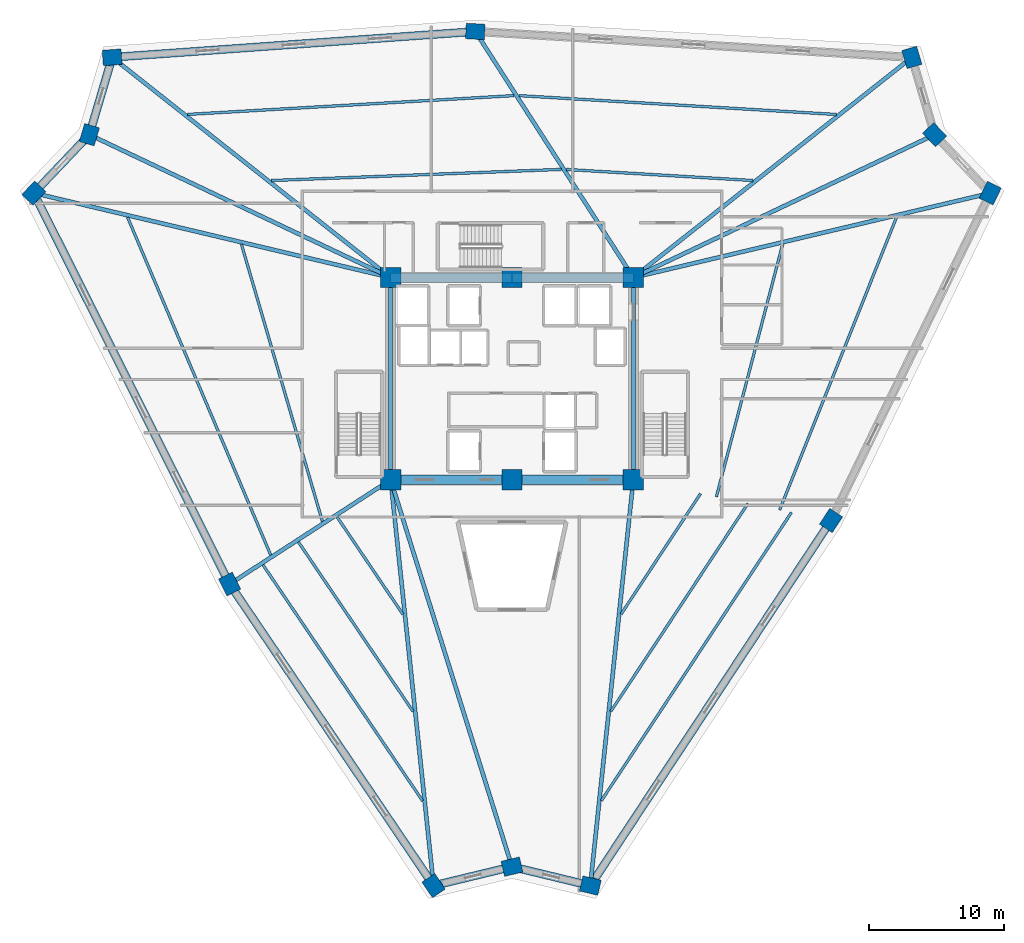
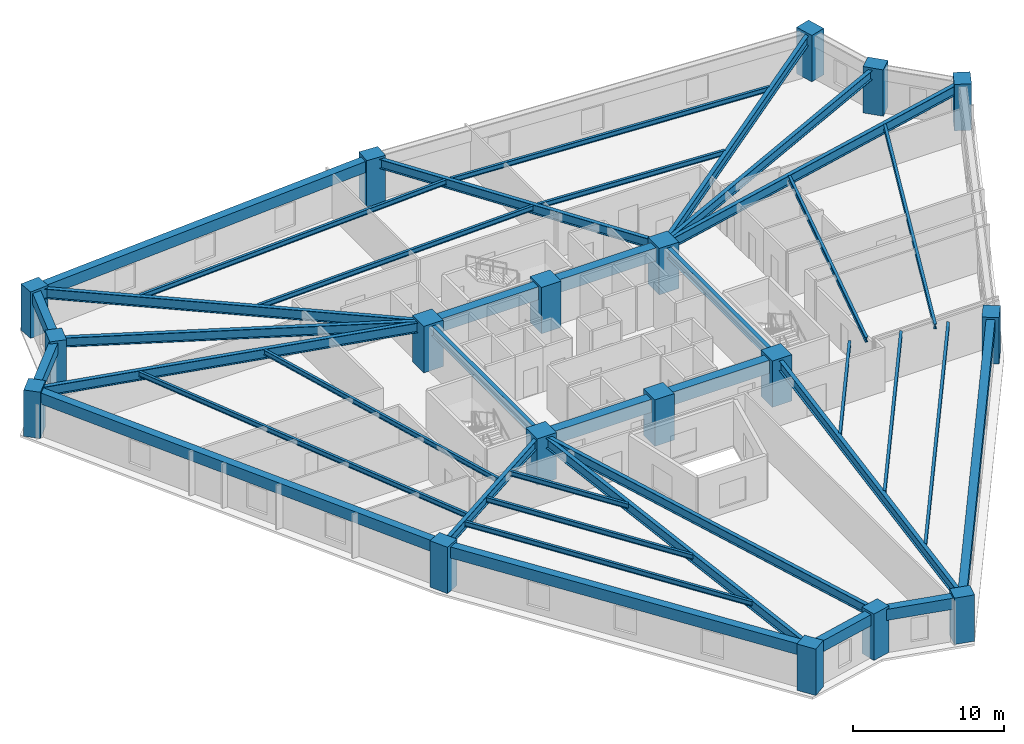
# One storey, part 1 of 8: 39 beams, 18 columns.
"""IFC4 building model written with IfcOpenShell, lengths in metres."""

from ifc_helpers import new_model, si_unit, direction, frame, origin, origin_2d, place, context, subcontext, project, spatial, rectangle, i_section, extrude, source, transform, mapped, material, material_profile, profile_set, type_object, element, save


model = new_model("IFC4")

# Units and contexts
model_context = context("Model", 3, precision=1e-05, world=origin(), true_north=direction((0.0, 1.0)))
body_context = subcontext(model_context, "Body", "Model", "MODEL_VIEW")
ifc_project = project(units=[si_unit("LENGTHUNIT", "METRE"), si_unit("AREAUNIT", "SQUARE_METRE"), si_unit("VOLUMEUNIT", "CUBIC_METRE"), si_unit("PLANEANGLEUNIT", "RADIAN"), si_unit("MASSUNIT", "GRAM", prefix="KILO")], contexts=[model_context])

# Site, building, storey
site_placement = place(None, origin())
site = spatial("IfcSite", under=ifc_project, at=site_placement, CompositionType="ELEMENT")
building_placement = place(site_placement, origin())
building = spatial("IfcBuilding", under=site, at=building_placement, Name="Liaohun Quay Tower", CompositionType="ELEMENT")
storey_placement = place(building_placement, frame((0.0, 0.0, 147.75)))
storey = spatial("IfcBuildingStorey", under=building, at=storey_placement, Name="L38", CompositionType="ELEMENT", Elevation=147.75)

# Columns
ifc_material_1 = material(Name="Concrete C60", Category="concrete")
ifc_material_profile_1 = material_profile(ifc_material_1, rectangle(XDim=1.5, YDim=1.5, at=origin_2d()), Name="RC1500x1500")
ifc_profile_set_1 = profile_set([ifc_material_profile_1], Name="Concrete C60")
column_type_1 = type_object("IfcColumnType", Name="COL-CC-Z2", PredefinedType="COLUMN", material=ifc_profile_set_1)
shared_shape_1 = source(origin(), body_context, "Body", "SweptSolid", [
    extrude(rectangle(XDim=1.5, YDim=1.5, at=origin_2d()), origin(), (0.0, 0.0, 1.0), 3.75),
])
for number, where, z_axis, x_axis, name in (
    (1, (51.0, 46.5, 0.0), (0.0, 0.0, 1.0), (1.0, 0.0, 0.0), "L38 Core Column CC1"),
    (2, (60.0, 46.5, 0.0), (0.0, 0.0, 1.0), (1.0, 0.0, 0.0), "L38 Core Column CC2"),
    (3, (69.0, 46.5, 0.0), (0.0, 0.0, 1.0), (1.0, 0.0, 0.0), "L38 Core Column CC3"),
    (4, (69.0, 61.5, 0.0), (0.0, 0.0, 1.0), (1.0, 0.0, 0.0), "L38 Core Column CC4"),
    (5, (60.0, 61.5, 0.0), (0.0, 0.0, 1.0), (1.0, 0.0, 0.0), "L38 Core Column CC5"),
    (6, (51.0, 61.5, 0.0), (0.0, 0.0, 1.0), (1.0, 0.0, 0.0), "L38 Core Column CC6"),
):
    element("IfcColumn", number, at=place(storey_placement, frame(where, z_axis=z_axis, x_axis=x_axis)), inside=storey, type_object=column_type_1, Name=name, PredefinedType="COLUMN", context=body_context, shape_type="MappedRepresentation", body=[
        mapped(shared_shape_1, transform((0.0, 0.0, 0.0), x_axis=(1.0, 0.0, 0.0), y_axis=(0.0, 1.0, 0.0), z_axis=(0.0, 0.0, 1.0), scale=1.0)),
    ])
ifc_material_profile_2 = material_profile(ifc_material_1, rectangle(XDim=1.39990234375, YDim=1.14990234375, at=origin_2d()), Name="RC1400x1150")
ifc_profile_set_2 = profile_set([ifc_material_profile_2], Name="Concrete C60")
column_type_2 = type_object("IfcColumnType", Name="COL-PIER-Z2", PredefinedType="COLUMN", material=ifc_profile_set_2)
shared_shape_2 = source(origin(), body_context, "Body", "SweptSolid", [
    extrude(rectangle(XDim=1.39990234375, YDim=1.14990234375, at=origin_2d()), origin(), (0.0, 0.0, 1.0), 3.75),
])
for number, where, z_axis, x_axis, name in (
    (7, (54.18505859375, 16.39794921875, 0.0), (0.0, 0.0, 1.0), (-0.560205346355, 0.828353770991, 0.0), "L38 Perimeter Pier PC01"),
    (8, (39.056884765625, 38.764892578125, 0.0), (0.0, 0.0, 1.0), (-0.447759087839, 0.894154236839, 0.0), "L38 Perimeter Pier PC02"),
    (9, (24.532958984375, 67.77001953125, 0.0), (0.0, 0.0, 1.0), (0.689240273721, 0.724532846102, 0.0), "L38 Perimeter Pier PC03"),
    (10, (28.652099609375, 72.09912109375, 0.0), (0.0, 0.0, 1.0), (0.282676303383, 0.959215360337, 0.0), "L38 Perimeter Pier PC04"),
    (11, (30.343994140625, 77.8369140625, 0.0), (0.0, 0.0, 1.0), (0.997478082177, 0.070975175783, 0.0), "L38 Perimeter Pier PC05"),
    (12, (57.278076171875, 79.75390625, 0.0), (0.0, 0.0, 1.0), (-0.998239827924, 0.059306373576, 0.0), "L38 Perimeter Pier PC06"),
    (13, (89.657958984375, 77.830078125, 0.0), (0.0, 0.0, 1.0), (-0.282676303383, 0.959215360337, 0.0), "L38 Perimeter Pier PC07"),
    (14, (91.347900390625, 72.09912109375, 0.0), (0.0, 0.0, 1.0), (-0.689240273721, 0.724532846102, 0.0), "L38 Perimeter Pier PC08"),
    (15, (95.471923828125, 67.763916015625, 0.0), (0.0, 0.0, 1.0), (0.437272735822, 0.899328946775, 0.0), "L38 Perimeter Pier PC09"),
    (16, (83.666015625, 43.48095703125, 0.0), (0.0, 0.0, 1.0), (0.550480740085, 0.834847863263, 0.0), "L38 Perimeter Pier PC10"),
    (17, (65.80810546875, 16.39892578125, 0.0), (0.0, 0.0, 1.0), (-0.972043021443, 0.234802820391, 0.0), "L38 Perimeter Pier PC11"),
    (18, (60.0, 17.802001953125, 0.0), (0.0, 0.0, 1.0), (0.972043021443, 0.234802820391, 0.0), "L38 Perimeter Pier PC12"),
):
    element("IfcColumn", number, at=place(storey_placement, frame(where, z_axis=z_axis, x_axis=x_axis)), inside=storey, type_object=column_type_2, Name=name, PredefinedType="COLUMN", context=body_context, shape_type="MappedRepresentation", body=[
        mapped(shared_shape_2, transform((0.0, 0.0, 0.0), x_axis=(1.0, 0.0, 0.0), y_axis=(0.0, 1.0, 0.0), z_axis=(0.0, 0.0, 1.0), scale=1.0)),
    ])

# Beams
ifc_material_profile_3 = material_profile(ifc_material_1, rectangle(XDim=0.699951171875, YDim=1.050048828125, at=origin_2d()), Name="RC700x1050")
ifc_profile_set_3 = profile_set([ifc_material_profile_3], Name="Concrete C60")
beam_type_1 = type_object("IfcBeamType", Name="BM-CPL-1", PredefinedType="LINTEL", material=ifc_profile_set_3)
shared_shape_3 = source(origin(), body_context, "Body", "SweptSolid", [
    extrude(rectangle(XDim=0.699951171875, YDim=1.050048828125, at=origin_2d()), origin(), (0.0, 0.0, 1.0), 9.0),
])
for number, where, z_axis, x_axis, name in (
    (19, (51.0, 46.5, 3.044921875), (1.0, 0.0, 0.0), (0.0, 1.0, 0.0), "L38 Core Coupling/Ring Beam CC1-CC2"),
    (20, (60.0, 46.5, 3.044921875), (1.0, 0.0, 0.0), (0.0, 1.0, 0.0), "L38 Core Coupling/Ring Beam CC2-CC3"),
    (21, (69.0, 61.5, 3.044921875), (-1.0, 0.0, 0.0), (0.0, -1.0, 0.0), "L38 Core Coupling/Ring Beam CC4-CC5"),
    (22, (60.0, 61.5, 3.044921875), (-1.0, 0.0, 0.0), (0.0, -1.0, 0.0), "L38 Core Coupling/Ring Beam CC5-CC6"),
):
    element("IfcBeam", number, at=place(storey_placement, frame(where, z_axis=z_axis, x_axis=x_axis)), inside=storey, type_object=beam_type_1, Name=name, PredefinedType="LINTEL", context=body_context, shape_type="MappedRepresentation", body=[
        mapped(shared_shape_3, transform((0.0, 0.0, 0.0), x_axis=(1.0, 0.0, 0.0), y_axis=(0.0, 1.0, 0.0), z_axis=(0.0, 0.0, 1.0), scale=1.0)),
    ])
ifc_material_2 = material(Name="Steel Q355D", Category="steel")
ifc_material_profile_4 = material_profile(ifc_material_2, i_section(OverallWidth=0.300048828125, OverallDepth=0.800048828125, WebThickness=0.013916015625, FlangeThickness=0.02587890625, at=origin_2d()), Name="HN800x300x14x26")
ifc_profile_set_4 = profile_set([ifc_material_profile_4], Name="Steel Q355D")
beam_type_2 = type_object("IfcBeamType", Name="BM-RAD-M1", PredefinedType="BEAM", material=ifc_profile_set_4)
shared_shape_4 = source(origin(), body_context, "Body", "SweptSolid", [
    extrude(i_section(OverallWidth=0.300048828125, OverallDepth=0.800048828125, WebThickness=0.013916015625, FlangeThickness=0.02587890625, at=origin_2d()), origin(), (0.0, 0.0, 1.0), 15.0),
])
for number, where, z_axis, x_axis, name in (
    (23, (69.0, 46.5, 3.169921875), (0.0, 1.0, 0.0), (-1.0, 0.0, 0.0), "L38 Core Coupling/Ring Beam CC3-CC4"),
    (24, (51.0, 61.5, 3.169921875), (0.0, -1.0, 0.0), (1.0, 0.0, 0.0), "L38 Core Coupling/Ring Beam CC6-CC1"),
):
    element("IfcBeam", number, at=place(storey_placement, frame(where, z_axis=z_axis, x_axis=x_axis)), inside=storey, type_object=beam_type_2, Name=name, PredefinedType="BEAM", context=body_context, shape_type="MappedRepresentation", body=[
        mapped(shared_shape_4, transform((0.0, 0.0, 0.0), x_axis=(1.0, 0.0, 0.0), y_axis=(0.0, 1.0, 0.0), z_axis=(0.0, 0.0, 1.0), scale=1.0)),
    ])
shared_shape_5 = source(origin(), body_context, "Body", "SweptSolid", [
    extrude(i_section(OverallWidth=0.300048828125, OverallDepth=0.800048828125, WebThickness=0.013916015625, FlangeThickness=0.02587890625, at=origin_2d()), origin(), (0.0, 0.0, 1.0), 30.27001953125),
])
beam_1_placement = place(storey_placement, frame((51.0, 46.5, 3.169921875), z_axis=(0.105221328918, -0.994448828216, 0.0), x_axis=(0.994448828216, 0.105221328918, 0.0)))
element("IfcBeam", 25, at=beam_1_placement, inside=storey, type_object=beam_type_2, Name="L38 Radial Primary Girder CC1-PC01", PredefinedType="BEAM", context=body_context, shape_type="MappedRepresentation", body=[
    mapped(shared_shape_5, transform((0.0, 0.0, 0.0), x_axis=(1.0, 0.0, 0.0), y_axis=(0.0, 1.0, 0.0), z_axis=(0.0, 0.0, 1.0), scale=1.0)),
])
ifc_material_profile_5 = material_profile(ifc_material_2, i_section(OverallWidth=0.300048828125, OverallDepth=0.75, WebThickness=0.013916015625, FlangeThickness=0.02587890625, at=origin_2d()), Name="HN750x300x14x26")
ifc_profile_set_5 = profile_set([ifc_material_profile_5], Name="Steel Q355D")
beam_type_3 = type_object("IfcBeamType", Name="BM-RAD-M2", PredefinedType="BEAM", material=ifc_profile_set_5)
shared_shape_6 = source(origin(), body_context, "Body", "SweptSolid", [
    extrude(i_section(OverallWidth=0.300048828125, OverallDepth=0.75, WebThickness=0.013916015625, FlangeThickness=0.02587890625, at=origin_2d()), origin(), (0.0, 0.0, 1.0), 14.229248046875),
])
beam_2_placement = place(storey_placement, frame((51.0, 46.5, 3.195068359375), z_axis=(-0.839338995865, -0.543608360882, 0.0), x_axis=(0.543608360882, -0.839338995865, 0.0)))
element("IfcBeam", 26, at=beam_2_placement, inside=storey, type_object=beam_type_3, Name="L38 Radial Primary Girder CC1-PC02", PredefinedType="BEAM", context=body_context, shape_type="MappedRepresentation", body=[
    mapped(shared_shape_6, transform((0.0, 0.0, 0.0), x_axis=(1.0, 0.0, 0.0), y_axis=(0.0, 1.0, 0.0), z_axis=(0.0, 0.0, 1.0), scale=1.0)),
])
shared_shape_7 = source(origin(), body_context, "Body", "SweptSolid", [
    extrude(i_section(OverallWidth=0.300048828125, OverallDepth=0.800048828125, WebThickness=0.013916015625, FlangeThickness=0.02587890625, at=origin_2d()), origin(), (0.0, 0.0, 1.0), 27.199462890625),
])
beam_3_placement = place(storey_placement, frame((51.0, 61.5, 3.169921875), z_axis=(-0.973067837534, 0.230518944032, 0.0), x_axis=(-0.230518944032, -0.973067837534, 0.0)))
element("IfcBeam", 27, at=beam_3_placement, inside=storey, type_object=beam_type_2, Name="L38 Radial Primary Girder CC6-PC03", PredefinedType="BEAM", context=body_context, shape_type="MappedRepresentation", body=[
    mapped(shared_shape_7, transform((0.0, 0.0, 0.0), x_axis=(1.0, 0.0, 0.0), y_axis=(0.0, 1.0, 0.0), z_axis=(0.0, 0.0, 1.0), scale=1.0)),
])
shared_shape_8 = source(origin(), body_context, "Body", "SweptSolid", [
    extrude(i_section(OverallWidth=0.300048828125, OverallDepth=0.75, WebThickness=0.013916015625, FlangeThickness=0.02587890625, at=origin_2d()), origin(), (0.0, 0.0, 1.0), 24.73388671875),
])
for number, where, z_axis, x_axis, name in (
    (28, (51.0, 61.5, 3.195068359375), (-0.903530113881, 0.428524600588, 0.0), (-0.428524600588, -0.903530113881, 0.0), "L38 Radial Primary Girder CC6-PC04"),
    (29, (69.0, 61.5, 3.195068359375), (0.903530113881, 0.428524600588, 0.0), (-0.428524600588, 0.903530113881, 0.0), "L38 Radial Primary Girder CC4-PC08"),
):
    element("IfcBeam", number, at=place(storey_placement, frame(where, z_axis=z_axis, x_axis=x_axis)), inside=storey, type_object=beam_type_3, Name=name, PredefinedType="BEAM", context=body_context, shape_type="MappedRepresentation", body=[
        mapped(shared_shape_8, transform((0.0, 0.0, 0.0), x_axis=(1.0, 0.0, 0.0), y_axis=(0.0, 1.0, 0.0), z_axis=(0.0, 0.0, 1.0), scale=1.0)),
    ])
shared_shape_9 = source(origin(), body_context, "Body", "SweptSolid", [
    extrude(i_section(OverallWidth=0.300048828125, OverallDepth=0.800048828125, WebThickness=0.013916015625, FlangeThickness=0.02587890625, at=origin_2d()), origin(), (0.0, 0.0, 1.0), 26.335693359375),
])
beam_4_placement = place(storey_placement, frame((51.0, 61.5, 3.169921875), z_axis=(-0.784336918356, 0.620335069542, 0.0), x_axis=(-0.620335069542, -0.784336918356, 0.0)))
element("IfcBeam", 30, at=beam_4_placement, inside=storey, type_object=beam_type_2, Name="L38 Radial Primary Girder CC6-PC05", PredefinedType="BEAM", context=body_context, shape_type="MappedRepresentation", body=[
    mapped(shared_shape_9, transform((0.0, 0.0, 0.0), x_axis=(1.0, 0.0, 0.0), y_axis=(0.0, 1.0, 0.0), z_axis=(0.0, 0.0, 1.0), scale=1.0)),
])
shared_shape_10 = source(origin(), body_context, "Body", "SweptSolid", [
    extrude(i_section(OverallWidth=0.300048828125, OverallDepth=0.75, WebThickness=0.013916015625, FlangeThickness=0.02587890625, at=origin_2d()), origin(), (0.0, 0.0, 1.0), 21.693603515625),
])
beam_5_placement = place(storey_placement, frame((69.0, 61.5, 3.195068359375), z_axis=(-0.540342302575, 0.841445301875, 0.0), x_axis=(-0.841445301875, -0.540342302575, 0.0)))
element("IfcBeam", 31, at=beam_5_placement, inside=storey, type_object=beam_type_3, Name="L38 Radial Primary Girder CC4-PC06", PredefinedType="BEAM", context=body_context, shape_type="MappedRepresentation", body=[
    mapped(shared_shape_10, transform((0.0, 0.0, 0.0), x_axis=(1.0, 0.0, 0.0), y_axis=(0.0, 1.0, 0.0), z_axis=(0.0, 0.0, 1.0), scale=1.0)),
])
shared_shape_11 = source(origin(), body_context, "Body", "SweptSolid", [
    extrude(i_section(OverallWidth=0.300048828125, OverallDepth=0.800048828125, WebThickness=0.013916015625, FlangeThickness=0.02587890625, at=origin_2d()), origin(), (0.0, 0.0, 1.0), 26.3330078125),
])
beam_6_placement = place(storey_placement, frame((69.0, 61.5, 3.169921875), z_axis=(0.784491743052, 0.620139262652, 0.0), x_axis=(-0.620139262652, 0.784491743052, 0.0)))
element("IfcBeam", 32, at=beam_6_placement, inside=storey, type_object=beam_type_2, Name="L38 Radial Primary Girder CC4-PC07", PredefinedType="BEAM", context=body_context, shape_type="MappedRepresentation", body=[
    mapped(shared_shape_11, transform((0.0, 0.0, 0.0), x_axis=(1.0, 0.0, 0.0), y_axis=(0.0, 1.0, 0.0), z_axis=(0.0, 0.0, 1.0), scale=1.0)),
])
shared_shape_12 = source(origin(), body_context, "Body", "SweptSolid", [
    extrude(i_section(OverallWidth=0.300048828125, OverallDepth=0.800048828125, WebThickness=0.013916015625, FlangeThickness=0.02587890625, at=origin_2d()), origin(), (0.0, 0.0, 1.0), 27.202880859375),
])
beam_7_placement = place(storey_placement, frame((69.0, 61.5, 3.169921875), z_axis=(0.97312767146, 0.23026622644, 0.0), x_axis=(-0.23026622644, 0.97312767146, 0.0)))
element("IfcBeam", 33, at=beam_7_placement, inside=storey, type_object=beam_type_2, Name="L38 Radial Primary Girder CC4-PC09", PredefinedType="BEAM", context=body_context, shape_type="MappedRepresentation", body=[
    mapped(shared_shape_12, transform((0.0, 0.0, 0.0), x_axis=(1.0, 0.0, 0.0), y_axis=(0.0, 1.0, 0.0), z_axis=(0.0, 0.0, 1.0), scale=1.0)),
])
shared_shape_13 = source(origin(), body_context, "Body", "SweptSolid", [
    extrude(i_section(OverallWidth=0.300048828125, OverallDepth=0.800048828125, WebThickness=0.013916015625, FlangeThickness=0.02587890625, at=origin_2d()), origin(), (0.0, 0.0, 1.0), 30.269775390625),
])
beam_8_placement = place(storey_placement, frame((69.0, 46.5, 3.169921875), z_axis=(-0.105448034991, -0.994424814612, 0.0), x_axis=(0.994424814612, -0.105448034991, 0.0)))
element("IfcBeam", 34, at=beam_8_placement, inside=storey, type_object=beam_type_2, Name="L38 Radial Primary Girder CC3-PC11", PredefinedType="BEAM", context=body_context, shape_type="MappedRepresentation", body=[
    mapped(shared_shape_13, transform((0.0, 0.0, 0.0), x_axis=(1.0, 0.0, 0.0), y_axis=(0.0, 1.0, 0.0), z_axis=(0.0, 0.0, 1.0), scale=1.0)),
])
shared_shape_14 = source(origin(), body_context, "Body", "SweptSolid", [
    extrude(i_section(OverallWidth=0.300048828125, OverallDepth=0.75, WebThickness=0.013916015625, FlangeThickness=0.02587890625, at=origin_2d()), origin(), (0.0, 0.0, 1.0), 30.076171875),
])
beam_9_placement = place(storey_placement, frame((51.0, 46.5, 3.195068359375), z_axis=(0.299240379571, -0.954177758719, 0.0), x_axis=(0.954177758719, 0.299240379571, 0.0)))
element("IfcBeam", 35, at=beam_9_placement, inside=storey, type_object=beam_type_3, Name="L38 Radial Primary Girder CC1-PC12", PredefinedType="BEAM", context=body_context, shape_type="MappedRepresentation", body=[
    mapped(shared_shape_14, transform((0.0, 0.0, 0.0), x_axis=(1.0, 0.0, 0.0), y_axis=(0.0, 1.0, 0.0), z_axis=(0.0, 0.0, 1.0), scale=1.0)),
])
ifc_material_profile_6 = material_profile(ifc_material_2, i_section(OverallWidth=0.199951171875, OverallDepth=0.39990234375, WebThickness=0.008056640625, FlangeThickness=0.012939453125, at=origin_2d()), Name="HN400x200x8x13")
ifc_profile_set_6 = profile_set([ifc_material_profile_6], Name="Steel Q355D")
beam_type_4 = type_object("IfcBeamType", Name="BM-SEC-J2", PredefinedType="JOIST", material=ifc_profile_set_6)
shared_shape_15 = source(origin(), body_context, "Body", "SweptSolid", [
    extrude(i_section(OverallWidth=0.199951171875, OverallDepth=0.39990234375, WebThickness=0.008056640625, FlangeThickness=0.012939453125, at=origin_2d()), origin(), (0.0, 0.0, 1.0), 8.7119140625),
])
beam_10_placement = place(storey_placement, frame((51.904052734375, 36.530029296875, 3.3701171875), z_axis=(-0.560281659496, 0.828302156241, 0.0), x_axis=(-0.828302156241, -0.560281659496, 0.0)))
element("IfcBeam", 36, at=beam_10_placement, inside=storey, type_object=beam_type_4, Name="L38 Wing Secondary Floor Joist SJ-01", PredefinedType="JOIST", context=body_context, shape_type="MappedRepresentation", body=[
    mapped(shared_shape_15, transform((0.0, 0.0, 0.0), x_axis=(1.0, 0.0, 0.0), y_axis=(0.0, 1.0, 0.0), z_axis=(0.0, 0.0, 1.0), scale=1.0)),
])
shared_shape_16 = source(origin(), body_context, "Body", "SweptSolid", [
    extrude(i_section(OverallWidth=0.199951171875, OverallDepth=0.39990234375, WebThickness=0.008056640625, FlangeThickness=0.012939453125, at=origin_2d()), origin(), (0.0, 0.0, 1.0), 15.19189453125),
])
beam_11_placement = place(storey_placement, frame((52.66796875, 29.304931640625, 3.3701171875), z_axis=(-0.560232188931, 0.828335617057, 0.0), x_axis=(-0.828335617057, -0.560232188931, 0.0)))
element("IfcBeam", 37, at=beam_11_placement, inside=storey, type_object=beam_type_4, Name="L38 Wing Secondary Floor Joist SJ-02", PredefinedType="JOIST", context=body_context, shape_type="MappedRepresentation", body=[
    mapped(shared_shape_16, transform((0.0, 0.0, 0.0), x_axis=(1.0, 0.0, 0.0), y_axis=(0.0, 1.0, 0.0), z_axis=(0.0, 0.0, 1.0), scale=1.0)),
])
shared_shape_17 = source(origin(), body_context, "Body", "SweptSolid", [
    extrude(i_section(OverallWidth=0.199951171875, OverallDepth=0.39990234375, WebThickness=0.008056640625, FlangeThickness=0.012939453125, at=origin_2d()), origin(), (0.0, 0.0, 1.0), 21.13232421875),
])
beam_12_placement = place(storey_placement, frame((53.368896484375, 22.68310546875, 3.3701171875), z_axis=(-0.560222645982, 0.828342071206, 0.0), x_axis=(-0.828342071206, -0.560222645982, 0.0)))
element("IfcBeam", 38, at=beam_12_placement, inside=storey, type_object=beam_type_4, Name="L38 Wing Secondary Floor Joist SJ-03", PredefinedType="JOIST", context=body_context, shape_type="MappedRepresentation", body=[
    mapped(shared_shape_17, transform((0.0, 0.0, 0.0), x_axis=(1.0, 0.0, 0.0), y_axis=(0.0, 1.0, 0.0), z_axis=(0.0, 0.0, 1.0), scale=1.0)),
])
shared_shape_18 = source(origin(), body_context, "Body", "SweptSolid", [
    extrude(i_section(OverallWidth=0.199951171875, OverallDepth=0.39990234375, WebThickness=0.008056640625, FlangeThickness=0.012939453125, at=origin_2d()), origin(), (0.0, 0.0, 1.0), 21.425537109375),
])
beam_13_placement = place(storey_placement, frame((45.93994140625, 43.402099609375, 3.3701171875), z_axis=(-0.280415657574, 0.959878668889, 0.0), x_axis=(-0.959878668889, -0.280415657574, 0.0)))
element("IfcBeam", 39, at=beam_13_placement, inside=storey, type_object=beam_type_4, Name="L38 Wing Secondary Floor Joist SJ-04", PredefinedType="JOIST", context=body_context, shape_type="MappedRepresentation", body=[
    mapped(shared_shape_18, transform((0.0, 0.0, 0.0), x_axis=(1.0, 0.0, 0.0), y_axis=(0.0, 1.0, 0.0), z_axis=(0.0, 0.0, 1.0), scale=1.0)),
])
shared_shape_19 = source(origin(), body_context, "Body", "SweptSolid", [
    extrude(i_section(OverallWidth=0.199951171875, OverallDepth=0.39990234375, WebThickness=0.008056640625, FlangeThickness=0.012939453125, at=origin_2d()), origin(), (0.0, 0.0, 1.0), 27.20849609375),
])
beam_14_placement = place(storey_placement, frame((42.10302734375, 40.916015625, 3.3701171875), z_axis=(-0.390171210787, 0.920742323494, 0.0), x_axis=(-0.920742323494, -0.390171210787, 0.0)))
element("IfcBeam", 40, at=beam_14_placement, inside=storey, type_object=beam_type_4, Name="L38 Wing Secondary Floor Joist SJ-05", PredefinedType="JOIST", context=body_context, shape_type="MappedRepresentation", body=[
    mapped(shared_shape_19, transform((0.0, 0.0, 0.0), x_axis=(1.0, 0.0, 0.0), y_axis=(0.0, 1.0, 0.0), z_axis=(0.0, 0.0, 1.0), scale=1.0)),
])
shared_shape_20 = source(origin(), body_context, "Body", "SweptSolid", [
    extrude(i_section(OverallWidth=0.199951171875, OverallDepth=0.39990234375, WebThickness=0.008056640625, FlangeThickness=0.012939453125, at=origin_2d()), origin(), (0.0, 0.0, 1.0), 21.541748046875),
])
beam_15_placement = place(storey_placement, frame((42.14208984375, 68.697021484375, 3.3701171875), z_axis=(0.999261241592, 0.038431381085, 0.0), x_axis=(-0.038431381085, 0.999261241592, 0.0)))
element("IfcBeam", 41, at=beam_15_placement, inside=storey, type_object=beam_type_4, Name="L38 Wing Secondary Floor Joist SJ-06", PredefinedType="JOIST", context=body_context, shape_type="MappedRepresentation", body=[
    mapped(shared_shape_20, transform((0.0, 0.0, 0.0), x_axis=(1.0, 0.0, 0.0), y_axis=(0.0, 1.0, 0.0), z_axis=(0.0, 0.0, 1.0), scale=1.0)),
])
shared_shape_21 = source(origin(), body_context, "Body", "SweptSolid", [
    extrude(i_section(OverallWidth=0.199951171875, OverallDepth=0.39990234375, WebThickness=0.008056640625, FlangeThickness=0.012939453125, at=origin_2d()), origin(), (0.0, 0.0, 1.0), 24.25439453125),
])
beam_16_placement = place(storey_placement, frame((35.93994140625, 73.60205078125, 3.3701171875), z_axis=(0.998342244931, 0.057556598104, 0.0), x_axis=(-0.057556598104, 0.998342244931, 0.0)))
element("IfcBeam", 42, at=beam_16_placement, inside=storey, type_object=beam_type_4, Name="L38 Wing Secondary Floor Joist SJ-07", PredefinedType="JOIST", context=body_context, shape_type="MappedRepresentation", body=[
    mapped(shared_shape_21, transform((0.0, 0.0, 0.0), x_axis=(1.0, 0.0, 0.0), y_axis=(0.0, 1.0, 0.0), z_axis=(0.0, 0.0, 1.0), scale=1.0)),
])
shared_shape_22 = source(origin(), body_context, "Body", "SweptSolid", [
    extrude(i_section(OverallWidth=0.199951171875, OverallDepth=0.39990234375, WebThickness=0.008056640625, FlangeThickness=0.012939453125, at=origin_2d()), origin(), (0.0, 0.0, 1.0), 13.861328125),
])
beam_17_placement = place(storey_placement, frame((64.028076171875, 69.52099609375, 3.3701171875), z_axis=(0.998240010226, -0.059303305004, 0.0), x_axis=(0.059303305004, 0.998240010226, 0.0)))
element("IfcBeam", 43, at=beam_17_placement, inside=storey, type_object=beam_type_4, Name="L38 Wing Secondary Floor Joist SJ-08", PredefinedType="JOIST", context=body_context, shape_type="MappedRepresentation", body=[
    mapped(shared_shape_22, transform((0.0, 0.0, 0.0), x_axis=(1.0, 0.0, 0.0), y_axis=(0.0, 1.0, 0.0), z_axis=(0.0, 0.0, 1.0), scale=1.0)),
])
shared_shape_23 = source(origin(), body_context, "Body", "SweptSolid", [
    extrude(i_section(OverallWidth=0.199951171875, OverallDepth=0.39990234375, WebThickness=0.008056640625, FlangeThickness=0.012939453125, at=origin_2d()), origin(), (0.0, 0.0, 1.0), 23.592529296875),
])
beam_18_placement = place(storey_placement, frame((60.510986328125, 74.9970703125, 3.3701171875), z_axis=(0.998239875102, -0.059305579477, 0.0), x_axis=(0.059305579477, 0.998239875102, 0.0)))
element("IfcBeam", 44, at=beam_18_placement, inside=storey, type_object=beam_type_4, Name="L38 Wing Secondary Floor Joist SJ-09", PredefinedType="JOIST", context=body_context, shape_type="MappedRepresentation", body=[
    mapped(shared_shape_23, transform((0.0, 0.0, 0.0), x_axis=(1.0, 0.0, 0.0), y_axis=(0.0, 1.0, 0.0), z_axis=(0.0, 0.0, 1.0), scale=1.0)),
])
shared_shape_24 = source(origin(), body_context, "Body", "SweptSolid", [
    extrude(i_section(OverallWidth=0.199951171875, OverallDepth=0.39990234375, WebThickness=0.008056640625, FlangeThickness=0.012939453125, at=origin_2d()), origin(), (0.0, 0.0, 1.0), 19.369140625),
])
beam_19_placement = place(storey_placement, frame((80.074951171875, 63.967041015625, 3.3701171875), z_axis=(-0.253756767921, -0.967268061467, 0.0), x_axis=(0.967268061467, -0.253756767921, 0.0)))
element("IfcBeam", 45, at=beam_19_placement, inside=storey, type_object=beam_type_4, Name="L38 Wing Secondary Floor Joist SJ-10", PredefinedType="JOIST", context=body_context, shape_type="MappedRepresentation", body=[
    mapped(shared_shape_24, transform((0.0, 0.0, 0.0), x_axis=(1.0, 0.0, 0.0), y_axis=(0.0, 1.0, 0.0), z_axis=(0.0, 0.0, 1.0), scale=1.0)),
])
shared_shape_25 = source(origin(), body_context, "Body", "SweptSolid", [
    extrude(i_section(OverallWidth=0.199951171875, OverallDepth=0.39990234375, WebThickness=0.008056640625, FlangeThickness=0.012939453125, at=origin_2d()), origin(), (0.0, 0.0, 1.0), 23.3662109375),
])
beam_20_placement = place(storey_placement, frame((88.52099609375, 65.965087890625, 3.3701171875), z_axis=(-0.370961889876, -0.928648090646, 0.0), x_axis=(0.928648090646, -0.370961889876, 0.0)))
element("IfcBeam", 46, at=beam_20_placement, inside=storey, type_object=beam_type_4, Name="L38 Wing Secondary Floor Joist SJ-11", PredefinedType="JOIST", context=body_context, shape_type="MappedRepresentation", body=[
    mapped(shared_shape_25, transform((0.0, 0.0, 0.0), x_axis=(1.0, 0.0, 0.0), y_axis=(0.0, 1.0, 0.0), z_axis=(0.0, 0.0, 1.0), scale=1.0)),
])
shared_shape_26 = source(origin(), body_context, "Body", "SweptSolid", [
    extrude(i_section(OverallWidth=0.199951171875, OverallDepth=0.39990234375, WebThickness=0.008056640625, FlangeThickness=0.012939453125, at=origin_2d()), origin(), (0.0, 0.0, 1.0), 10.70361328125),
])
beam_21_placement = place(storey_placement, frame((73.986083984375, 45.47412109375, 3.3701171875), z_axis=(-0.550471643364, -0.834853861375, 0.0), x_axis=(0.834853861375, -0.550471643364, 0.0)))
element("IfcBeam", 47, at=beam_21_placement, inside=storey, type_object=beam_type_4, Name="L38 Wing Secondary Floor Joist SJ-12", PredefinedType="JOIST", context=body_context, shape_type="MappedRepresentation", body=[
    mapped(shared_shape_26, transform((0.0, 0.0, 0.0), x_axis=(1.0, 0.0, 0.0), y_axis=(0.0, 1.0, 0.0), z_axis=(0.0, 0.0, 1.0), scale=1.0)),
])
shared_shape_27 = source(origin(), body_context, "Body", "SweptSolid", [
    extrude(i_section(OverallWidth=0.199951171875, OverallDepth=0.39990234375, WebThickness=0.008056640625, FlangeThickness=0.012939453125, at=origin_2d()), origin(), (0.0, 0.0, 1.0), 18.48876953125),
])
beam_22_placement = place(storey_placement, frame((77.506103515625, 44.7490234375, 3.3701171875), z_axis=(-0.550506250045, -0.834831041985, 0.0), x_axis=(0.834831041985, -0.550506250045, 0.0)))
element("IfcBeam", 48, at=beam_22_placement, inside=storey, type_object=beam_type_4, Name="L38 Wing Secondary Floor Joist SJ-13", PredefinedType="JOIST", context=body_context, shape_type="MappedRepresentation", body=[
    mapped(shared_shape_27, transform((0.0, 0.0, 0.0), x_axis=(1.0, 0.0, 0.0), y_axis=(0.0, 1.0, 0.0), z_axis=(0.0, 0.0, 1.0), scale=1.0)),
])
shared_shape_28 = source(origin(), body_context, "Body", "SweptSolid", [
    extrude(i_section(OverallWidth=0.199951171875, OverallDepth=0.39990234375, WebThickness=0.008056640625, FlangeThickness=0.012939453125, at=origin_2d()), origin(), (0.0, 0.0, 1.0), 25.62548828125),
])
beam_23_placement = place(storey_placement, frame((80.73291015625, 44.0849609375, 3.3701171875), z_axis=(-0.550502643876, -0.834833419962, 0.0), x_axis=(0.834833419962, -0.550502643876, 0.0)))
element("IfcBeam", 49, at=beam_23_placement, inside=storey, type_object=beam_type_4, Name="L38 Wing Secondary Floor Joist SJ-14", PredefinedType="JOIST", context=body_context, shape_type="MappedRepresentation", body=[
    mapped(shared_shape_28, transform((0.0, 0.0, 0.0), x_axis=(1.0, 0.0, 0.0), y_axis=(0.0, 1.0, 0.0), z_axis=(0.0, 0.0, 1.0), scale=1.0)),
])
ifc_material_3 = material(Name="Precast concrete C55", Category="concrete")
ifc_material_profile_7 = material_profile(ifc_material_3, rectangle(XDim=0.60009765625, YDim=0.89990234375, at=origin_2d()), Name="RC600x900")
ifc_profile_set_7 = profile_set([ifc_material_profile_7], Name="Precast concrete C55")
beam_type_5 = type_object("IfcBeamType", Name="BM-SPD-Z2", PredefinedType="SPANDREL", material=ifc_profile_set_7)
shared_shape_29 = source(origin(), body_context, "Body", "SweptSolid", [
    extrude(rectangle(XDim=0.60009765625, YDim=0.89990234375, at=origin_2d()), origin(), (0.0, 0.0, 1.0), 27.002685546875),
])
beam_24_placement = place(storey_placement, frame((54.18505859375, 16.39794921875, 3.1201171875), z_axis=(-0.560248249764, 0.828324754331, 0.0), x_axis=(-0.828324754331, -0.560248249764, 0.0)))
element("IfcBeam", 50, at=beam_24_placement, inside=storey, type_object=beam_type_5, Name="L38 Precast Spandrel Beam PC01-PC02", PredefinedType="SPANDREL", context=body_context, shape_type="MappedRepresentation", body=[
    mapped(shared_shape_29, transform((0.0, 0.0, 0.0), x_axis=(1.0, 0.0, 0.0), y_axis=(0.0, 1.0, 0.0), z_axis=(0.0, 0.0, 1.0), scale=1.0)),
])
shared_shape_30 = source(origin(), body_context, "Body", "SweptSolid", [
    extrude(rectangle(XDim=0.60009765625, YDim=0.89990234375, at=origin_2d()), origin(), (0.0, 0.0, 1.0), 32.438232421875),
])
beam_25_placement = place(storey_placement, frame((39.056884765625, 38.764892578125, 3.1201171875), z_axis=(-0.447740359828, 0.894163614883, 0.0), x_axis=(-0.894163614883, -0.447740359828, 0.0)))
element("IfcBeam", 51, at=beam_25_placement, inside=storey, type_object=beam_type_5, Name="L38 Precast Spandrel Beam PC02-PC03", PredefinedType="SPANDREL", context=body_context, shape_type="MappedRepresentation", body=[
    mapped(shared_shape_30, transform((0.0, 0.0, 0.0), x_axis=(1.0, 0.0, 0.0), y_axis=(0.0, 1.0, 0.0), z_axis=(0.0, 0.0, 1.0), scale=1.0)),
])
shared_shape_31 = source(origin(), body_context, "Body", "SweptSolid", [
    extrude(rectangle(XDim=0.60009765625, YDim=0.89990234375, at=origin_2d()), origin(), (0.0, 0.0, 1.0), 5.9755859375),
])
beam_26_placement = place(storey_placement, frame((24.532958984375, 67.77001953125, 3.1201171875), z_axis=(0.689320478889, 0.724456539335, 0.0), x_axis=(-0.724456539335, 0.689320478889, 0.0)))
element("IfcBeam", 52, at=beam_26_placement, inside=storey, type_object=beam_type_5, Name="L38 Precast Spandrel Beam PC03-PC04", PredefinedType="SPANDREL", context=body_context, shape_type="MappedRepresentation", body=[
    mapped(shared_shape_31, transform((0.0, 0.0, 0.0), x_axis=(1.0, 0.0, 0.0), y_axis=(0.0, 1.0, 0.0), z_axis=(0.0, 0.0, 1.0), scale=1.0)),
])
shared_shape_32 = source(origin(), body_context, "Body", "SweptSolid", [
    extrude(rectangle(XDim=0.60009765625, YDim=0.89990234375, at=origin_2d()), origin(), (0.0, 0.0, 1.0), 5.98193359375),
])
for number, where, z_axis, x_axis, name in (
    (53, (28.652099609375, 72.09912109375, 3.1201171875), (0.28282913132, 0.959170309422, 0.0), (-0.959170309422, 0.28282913132, 0.0), "L38 Precast Spandrel Beam PC04-PC05"),
    (54, (60.0, 17.802001953125, 3.1201171875), (-0.972065193288, -0.234711013796, 0.0), (0.234711013796, -0.972065193288, 0.0), "L38 Precast Spandrel Beam PC12-PC01"),
):
    element("IfcBeam", number, at=place(storey_placement, frame(where, z_axis=z_axis, x_axis=x_axis)), inside=storey, type_object=beam_type_5, Name=name, PredefinedType="SPANDREL", context=body_context, shape_type="MappedRepresentation", body=[
        mapped(shared_shape_32, transform((0.0, 0.0, 0.0), x_axis=(1.0, 0.0, 0.0), y_axis=(0.0, 1.0, 0.0), z_axis=(0.0, 0.0, 1.0), scale=1.0)),
    ])
shared_shape_33 = source(origin(), body_context, "Body", "SweptSolid", [
    extrude(rectangle(XDim=0.60009765625, YDim=0.89990234375, at=origin_2d()), origin(), (0.0, 0.0, 1.0), 27.002197265625),
])
beam_27_placement = place(storey_placement, frame((30.343994140625, 77.8369140625, 3.1201171875), z_axis=(0.997476750711, 0.070993885595, 0.0), x_axis=(-0.070993885595, 0.997476750711, 0.0)))
element("IfcBeam", 55, at=beam_27_placement, inside=storey, type_object=beam_type_5, Name="L38 Precast Spandrel Beam PC05-PC06", PredefinedType="SPANDREL", context=body_context, shape_type="MappedRepresentation", body=[
    mapped(shared_shape_33, transform((0.0, 0.0, 0.0), x_axis=(1.0, 0.0, 0.0), y_axis=(0.0, 1.0, 0.0), z_axis=(0.0, 0.0, 1.0), scale=1.0)),
])
shared_shape_34 = source(origin(), body_context, "Body", "SweptSolid", [
    extrude(rectangle(XDim=0.60009765625, YDim=0.89990234375, at=origin_2d()), origin(), (0.0, 0.0, 1.0), 32.439697265625),
])
beam_28_placement = place(storey_placement, frame((83.666015625, 43.48095703125, 3.1201171875), z_axis=(-0.550493647058, -0.83483935254, 0.0), x_axis=(0.83483935254, -0.550493647058, 0.0)))
element("IfcBeam", 56, at=beam_28_placement, inside=storey, type_object=beam_type_5, Name="L38 Precast Spandrel Beam PC10-PC11", PredefinedType="SPANDREL", context=body_context, shape_type="MappedRepresentation", body=[
    mapped(shared_shape_34, transform((0.0, 0.0, 0.0), x_axis=(1.0, 0.0, 0.0), y_axis=(0.0, 1.0, 0.0), z_axis=(0.0, 0.0, 1.0), scale=1.0)),
])
shared_shape_35 = source(origin(), body_context, "Body", "SweptSolid", [
    extrude(rectangle(XDim=0.60009765625, YDim=0.89990234375, at=origin_2d()), origin(), (0.0, 0.0, 1.0), 5.97509765625),
])
beam_29_placement = place(storey_placement, frame((65.80810546875, 16.39892578125, 3.1201171875), z_axis=(-0.972039451008, 0.23481760088, 0.0), x_axis=(-0.23481760088, -0.972039451008, 0.0)))
element("IfcBeam", 57, at=beam_29_placement, inside=storey, type_object=beam_type_5, Name="L38 Precast Spandrel Beam PC11-PC12", PredefinedType="SPANDREL", context=body_context, shape_type="MappedRepresentation", body=[
    mapped(shared_shape_35, transform((0.0, 0.0, 0.0), x_axis=(1.0, 0.0, 0.0), y_axis=(0.0, 1.0, 0.0), z_axis=(0.0, 0.0, 1.0), scale=1.0)),
])

save(model, "model.ifc")
